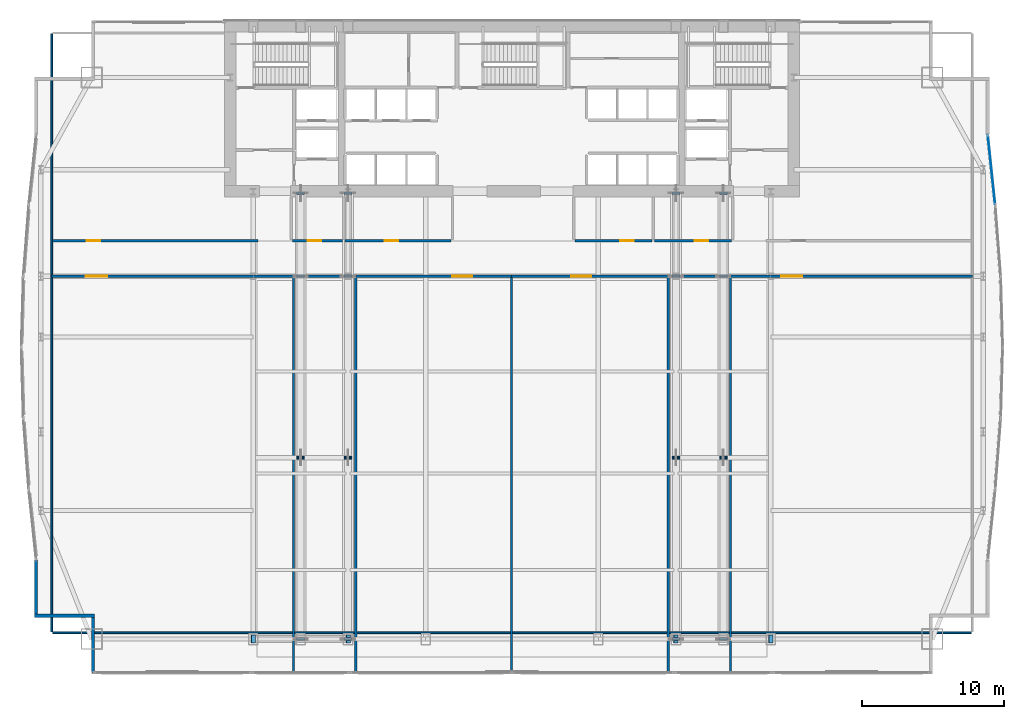
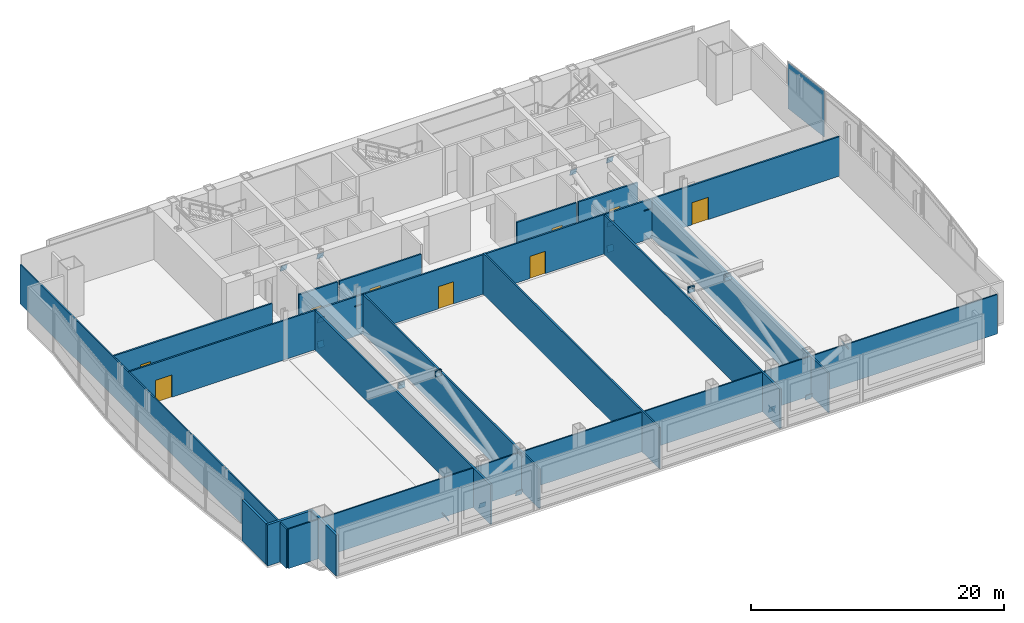
# One storey, part 26 of 32: 29 plates, 21 walls, 9 doors, 9 openings, 1 element without a shape of its own.
"""IFC4 building model written with IfcOpenShell, lengths in metres."""

from ifc_helpers import new_model, si_unit, direction, frame, frame_2d, origin, origin_2d, place, context, subcontext, project, spatial, polyline, rectangle, outline, extrude, material, layer, layer_set, type_object, element, fill, aggregate, save


model = new_model("IFC4")

# Units and contexts
model_context = context("Model", 3, precision=1e-05, world=origin(), true_north=direction((0.0, 1.0)))
body_context = subcontext(model_context, "Body", "Model", "MODEL_VIEW")
ifc_project = project(units=[si_unit("LENGTHUNIT", "METRE"), si_unit("AREAUNIT", "SQUARE_METRE"), si_unit("VOLUMEUNIT", "CUBIC_METRE"), si_unit("PLANEANGLEUNIT", "RADIAN"), si_unit("MASSUNIT", "GRAM", prefix="KILO")], contexts=[model_context])

# Site, building, storey
site_placement = place(None, origin())
site = spatial("IfcSite", under=ifc_project, at=site_placement, CompositionType="ELEMENT")
building_placement = place(site_placement, origin())
building = spatial("IfcBuilding", under=site, at=building_placement, Name="Khoronbel Lancet Exchange", CompositionType="ELEMENT")
storey_placement = place(building_placement, frame((0.0, 0.0, 85.800048828125)))
storey = spatial("IfcBuildingStorey", under=building, at=storey_placement, Name="L20", CompositionType="ELEMENT", Elevation=85.800048828125)

# Curtain wall, plate
ifc_material_1 = material(Name="Low-E Solar Control Insulating Glass", Category="glass")
curtain_wall_type = type_object("IfcCurtainWallType", Name="CW-4", PredefinedType="NOTDEFINED", material=ifc_material_1)
curtain_wall_placement = place(storey_placement, origin())
curtain_wall = element("IfcCurtainWall", 1, at=curtain_wall_placement, inside=storey, type_object=curtain_wall_type, Name="Unitised curtain wall CW-L20-E17", PredefinedType="NOTDEFINED")
ifc_material_2 = material(Name="Ceramic-Fritted Laminated Insulating Glass", Category="glass")
ifc_layer_1 = layer(ifc_material_2, 0.0419921875, Name="Ceramic-Fritted Laminated Insulating Glass")
ifc_layer_set_1 = layer_set([ifc_layer_1], Name="Ceramic-Fritted Laminated Insulating Glass")
plate_type_1 = type_object("IfcPlateType", Name="PLT-CWP2", PredefinedType="CURTAIN_PANEL", material=ifc_layer_set_1)
plate_1_placement = place(storey_placement, frame((70.22265625, 43.193603515625, 0.0849609375), z_axis=(0.0, 0.0, 1.0), x_axis=(0.104434383958, -0.994531779003, 0.0)))
plate_1 = element("IfcPlate", 2, at=plate_1_placement, type_object=plate_type_1, Name="CW4 panel 1.1", PredefinedType="CURTAIN_PANEL", context=body_context, shape_type="SweptSolid", body=[
    extrude(rectangle(XDim=4.880859375, YDim=0.0380859375, at=origin_2d()), origin(), (0.0, 0.0, 1.0), 4.449951171875),
])
aggregate(curtain_wall, [plate_1])

# Plates
ifc_material_3 = material(Name="Steel S460", Category="steel")
ifc_layer_2 = layer(ifc_material_3, 0.044921875, Name="Steel S460")
ifc_layer_set_2 = layer_set([ifc_layer_2], Name="Steel S460")
plate_type_2 = type_object("IfcPlateType", Name="PLT-ECP1", PredefinedType="USERDEFINED", material=ifc_layer_set_2)
for number, where, z_axis, x_axis, name in (
    (3, (21.8525390625, 10.24462890625, 0.025634765625), (0.0, 0.958034566662, 0.28665269767), (-1.0, 0.0, 0.0), "Hollow end cap plate PLT-CAP-MEM-L20-OBR1-1-0"),
    (4, (21.8525390625, 23.039794921875, 3.8515625), (0.0, 0.958034566662, 0.28665269767), (-1.0, 0.0, 0.0), "Hollow end cap plate PLT-CAP-MEM-L20-OBR1-1-1"),
    (5, (21.2724609375, 22.810302734375, 3.8515625), (0.0, -0.958034566662, 0.28665269767), (1.0, 0.0, 0.0), "Hollow end cap plate PLT-CAP-MEM-L20-OBR1-2-0"),
):
    element("IfcPlate", number, at=place(storey_placement, frame(where, z_axis=z_axis, x_axis=x_axis)), inside=storey, type_object=plate_type_2, Name=name, ObjectType="STIFFENER_PLATE", PredefinedType="USERDEFINED", context=body_context, shape_type="SweptSolid", body=[
        extrude(outline(polyline([(0.0, 0.0), (0.580078125, 0.0), (0.580078125, 0.580078125), (0.0, 0.580078125), (0.0, 0.0)])), origin(), (0.0, 0.0, -1.0), 0.044921875),
    ])
plate_2_placement = place(storey_placement, frame((21.2724609375, 35.60546875, 0.025634765625), z_axis=(0.0, -0.95815009957, 0.286266286339), x_axis=(1.0, 0.0, 0.0)))
element("IfcPlate", 6, at=plate_2_placement, inside=storey, type_object=plate_type_2, Name="Hollow end cap plate PLT-CAP-MEM-L20-OBR1-2-1", ObjectType="STIFFENER_PLATE", PredefinedType="USERDEFINED", context=body_context, shape_type="SweptSolid", body=[
    extrude(outline(polyline([(0.0, 0.0), (0.580078125, 0.0), (0.580078125, 0.579833984375), (0.0, 0.579833984375), (0.0, 0.0)])), origin(), (0.0, 0.0, -1.0), 0.044921875),
])
for number, where, z_axis, x_axis, name in (
    (7, (21.8525390625, 35.781005859375, 2.401123046875), (0.0, 0.971002854842, 0.239067889705), (-1.0, 0.0, 0.0), "Hollow end cap plate PLT-CAP-MEM-L20-OBR1-3-0"),
    (8, (21.8525390625, 41.6513671875, 3.84619140625), (0.0, 0.971002854842, 0.239067889705), (-1.0, 0.0, 0.0), "Hollow end cap plate PLT-CAP-MEM-L20-OBR1-3-1"),
):
    element("IfcPlate", number, at=place(storey_placement, frame(where, z_axis=z_axis, x_axis=x_axis)), inside=storey, type_object=plate_type_2, Name=name, ObjectType="STIFFENER_PLATE", PredefinedType="USERDEFINED", context=body_context, shape_type="SweptSolid", body=[
        extrude(outline(polyline([(0.0, 0.0), (0.580078125, 0.0), (0.580078125, 0.580078125), (0.0, 0.580078125), (0.0, 0.0)])), origin(), (0.0, 0.0, -1.0), 0.044921875),
    ])
for number, where, z_axis, x_axis, name in (
    (9, (25.18994140625, 10.24462890625, 0.025634765625), (0.0, 0.958034566662, 0.28665269767), (-1.0, 0.0, 0.0), "Hollow end cap plate PLT-CAP-MEM-L20-OBR2-1-0"),
    (10, (25.18994140625, 23.039794921875, 3.8515625), (0.0, 0.958034566662, 0.28665269767), (-1.0, 0.0, 0.0), "Hollow end cap plate PLT-CAP-MEM-L20-OBR2-1-1"),
    (11, (24.610107421875, 22.810302734375, 3.8515625), (0.0, -0.958034566662, 0.28665269767), (1.0, 0.0, 0.0), "Hollow end cap plate PLT-CAP-MEM-L20-OBR2-2-0"),
):
    element("IfcPlate", number, at=place(storey_placement, frame(where, z_axis=z_axis, x_axis=x_axis)), inside=storey, type_object=plate_type_2, Name=name, ObjectType="STIFFENER_PLATE", PredefinedType="USERDEFINED", context=body_context, shape_type="SweptSolid", body=[
        extrude(outline(polyline([(0.0, 0.0), (0.579833984375, 0.0), (0.579833984375, 0.580078125), (0.0, 0.580078125), (0.0, 0.0)])), origin(), (0.0, 0.0, -1.0), 0.044921875),
    ])
plate_3_placement = place(storey_placement, frame((24.610107421875, 35.60546875, 0.025634765625), z_axis=(0.0, -0.95815009957, 0.286266286339), x_axis=(1.0, 0.0, 0.0)))
element("IfcPlate", 12, at=plate_3_placement, inside=storey, type_object=plate_type_2, Name="Hollow end cap plate PLT-CAP-MEM-L20-OBR2-2-1", ObjectType="STIFFENER_PLATE", PredefinedType="USERDEFINED", context=body_context, shape_type="SweptSolid", body=[
    extrude(outline(polyline([(0.0, 0.0), (0.579833984375, 0.0), (0.579833984375, 0.579833984375), (0.0, 0.579833984375), (0.0, 0.0)])), origin(), (0.0, 0.0, -1.0), 0.044921875),
])
for number, where, z_axis, x_axis, name in (
    (13, (25.18994140625, 35.781005859375, 2.401123046875), (0.0, 0.971002854842, 0.239067889705), (-1.0, 0.0, 0.0), "Hollow end cap plate PLT-CAP-MEM-L20-OBR2-3-0"),
    (14, (25.18994140625, 41.6513671875, 3.84619140625), (0.0, 0.971002854842, 0.239067889705), (-1.0, 0.0, 0.0), "Hollow end cap plate PLT-CAP-MEM-L20-OBR2-3-1"),
):
    element("IfcPlate", number, at=place(storey_placement, frame(where, z_axis=z_axis, x_axis=x_axis)), inside=storey, type_object=plate_type_2, Name=name, ObjectType="STIFFENER_PLATE", PredefinedType="USERDEFINED", context=body_context, shape_type="SweptSolid", body=[
        extrude(outline(polyline([(0.0, 0.0), (0.579833984375, 0.0), (0.579833984375, 0.580078125), (0.0, 0.580078125), (0.0, 0.0)])), origin(), (0.0, 0.0, -1.0), 0.044921875),
    ])
for number, where, z_axis, x_axis, name in (
    (15, (48.2900390625, 10.24462890625, 0.025634765625), (0.0, 0.958034566662, 0.28665269767), (-1.0, 0.0, 0.0), "Hollow end cap plate PLT-CAP-MEM-L20-OBR3-1-0"),
    (16, (48.2900390625, 23.039794921875, 3.8515625), (0.0, 0.958034566662, 0.28665269767), (-1.0, 0.0, 0.0), "Hollow end cap plate PLT-CAP-MEM-L20-OBR3-1-1"),
    (17, (47.7099609375, 22.810302734375, 3.8515625), (0.0, -0.958034566662, 0.28665269767), (1.0, 0.0, 0.0), "Hollow end cap plate PLT-CAP-MEM-L20-OBR3-2-0"),
):
    element("IfcPlate", number, at=place(storey_placement, frame(where, z_axis=z_axis, x_axis=x_axis)), inside=storey, type_object=plate_type_2, Name=name, ObjectType="STIFFENER_PLATE", PredefinedType="USERDEFINED", context=body_context, shape_type="SweptSolid", body=[
        extrude(outline(polyline([(0.0, 0.0), (0.580078125, 0.0), (0.580078125, 0.580078125), (0.0, 0.580078125), (0.0, 0.0)])), origin(), (0.0, 0.0, -1.0), 0.044921875),
    ])
plate_4_placement = place(storey_placement, frame((47.7099609375, 35.60546875, 0.025634765625), z_axis=(0.0, -0.95815009957, 0.286266286339), x_axis=(1.0, 0.0, 0.0)))
element("IfcPlate", 18, at=plate_4_placement, inside=storey, type_object=plate_type_2, Name="Hollow end cap plate PLT-CAP-MEM-L20-OBR3-2-1", ObjectType="STIFFENER_PLATE", PredefinedType="USERDEFINED", context=body_context, shape_type="SweptSolid", body=[
    extrude(outline(polyline([(0.0, 0.0), (0.580078125, 0.0), (0.580078125, 0.579833984375), (0.0, 0.579833984375), (0.0, 0.0)])), origin(), (0.0, 0.0, -1.0), 0.044921875),
])
for number, where, z_axis, x_axis, name in (
    (19, (48.2900390625, 35.781005859375, 2.401123046875), (0.0, 0.971002854842, 0.239067889705), (-1.0, 0.0, 0.0), "Hollow end cap plate PLT-CAP-MEM-L20-OBR3-3-0"),
    (20, (48.2900390625, 41.6513671875, 3.84619140625), (0.0, 0.971002854842, 0.239067889705), (-1.0, 0.0, 0.0), "Hollow end cap plate PLT-CAP-MEM-L20-OBR3-3-1"),
):
    element("IfcPlate", number, at=place(storey_placement, frame(where, z_axis=z_axis, x_axis=x_axis)), inside=storey, type_object=plate_type_2, Name=name, ObjectType="STIFFENER_PLATE", PredefinedType="USERDEFINED", context=body_context, shape_type="SweptSolid", body=[
        extrude(outline(polyline([(0.0, 0.0), (0.580078125, 0.0), (0.580078125, 0.580078125), (0.0, 0.580078125), (0.0, 0.0)])), origin(), (0.0, 0.0, -1.0), 0.044921875),
    ])
for number, where, z_axis, x_axis, name in (
    (21, (51.62744140625, 10.24462890625, 0.025634765625), (0.0, 0.958034566662, 0.28665269767), (-1.0, 0.0, 0.0), "Hollow end cap plate PLT-CAP-MEM-L20-OBR4-1-0"),
    (22, (51.62744140625, 23.039794921875, 3.8515625), (0.0, 0.958034566662, 0.28665269767), (-1.0, 0.0, 0.0), "Hollow end cap plate PLT-CAP-MEM-L20-OBR4-1-1"),
    (23, (51.047607421875, 22.810302734375, 3.8515625), (0.0, -0.958034566662, 0.28665269767), (1.0, 0.0, 0.0), "Hollow end cap plate PLT-CAP-MEM-L20-OBR4-2-0"),
):
    element("IfcPlate", number, at=place(storey_placement, frame(where, z_axis=z_axis, x_axis=x_axis)), inside=storey, type_object=plate_type_2, Name=name, ObjectType="STIFFENER_PLATE", PredefinedType="USERDEFINED", context=body_context, shape_type="SweptSolid", body=[
        extrude(outline(polyline([(0.0, 0.0), (0.579833984375, 0.0), (0.579833984375, 0.580078125), (0.0, 0.580078125), (0.0, 0.0)])), origin(), (0.0, 0.0, -1.0), 0.044921875),
    ])
plate_5_placement = place(storey_placement, frame((51.047607421875, 35.60546875, 0.025634765625), z_axis=(0.0, -0.95815009957, 0.286266286339), x_axis=(1.0, 0.0, 0.0)))
element("IfcPlate", 24, at=plate_5_placement, inside=storey, type_object=plate_type_2, Name="Hollow end cap plate PLT-CAP-MEM-L20-OBR4-2-1", ObjectType="STIFFENER_PLATE", PredefinedType="USERDEFINED", context=body_context, shape_type="SweptSolid", body=[
    extrude(outline(polyline([(0.0, 0.0), (0.579833984375, 0.0), (0.579833984375, 0.579833984375), (0.0, 0.579833984375), (0.0, 0.0)])), origin(), (0.0, 0.0, -1.0), 0.044921875),
])
for number, where, z_axis, x_axis, name in (
    (25, (51.62744140625, 35.781005859375, 2.401123046875), (0.0, 0.971002854842, 0.239067889705), (-1.0, 0.0, 0.0), "Hollow end cap plate PLT-CAP-MEM-L20-OBR4-3-0"),
    (26, (51.62744140625, 41.6513671875, 3.84619140625), (0.0, 0.971002854842, 0.239067889705), (-1.0, 0.0, 0.0), "Hollow end cap plate PLT-CAP-MEM-L20-OBR4-3-1"),
    (27, (18.37939453125, 9.860107421875, 0.05419921875), (0.867932140254, 0.0, 0.496682796072), (0.0, 1.0, 0.0), "Hollow end cap plate PLT-CAP-MEM-L20-BELT-1-0"),
    (28, (25.07275390625, 9.860107421875, 3.884521484375), (0.867932140254, 0.0, 0.496682796072), (0.0, 1.0, 0.0), "Hollow end cap plate PLT-CAP-MEM-L20-BELT-1-1"),
    (29, (48.154541015625, 9.860107421875, 0.05419921875), (0.867932140254, 0.0, 0.496682796072), (0.0, 1.0, 0.0), "Hollow end cap plate PLT-CAP-MEM-L20-BELT-2-0"),
    (30, (54.84765625, 9.860107421875, 3.884521484375), (0.867932140254, 0.0, 0.496682796072), (0.0, 1.0, 0.0), "Hollow end cap plate PLT-CAP-MEM-L20-BELT-2-1"),
):
    element("IfcPlate", number, at=place(storey_placement, frame(where, z_axis=z_axis, x_axis=x_axis)), inside=storey, type_object=plate_type_2, Name=name, ObjectType="STIFFENER_PLATE", PredefinedType="USERDEFINED", context=body_context, shape_type="SweptSolid", body=[
        extrude(outline(polyline([(0.0, 0.0), (0.579833984375, 0.0), (0.579833984375, 0.580078125), (0.0, 0.580078125), (0.0, 0.0)])), origin(), (0.0, 0.0, -1.0), 0.044921875),
    ])

# Walls
ifc_material_4 = material(Name="Precast concrete C40/50", Category="concrete")
ifc_layer_3 = layer(ifc_material_4, 0.25, Name="Precast concrete C40/50")
ifc_layer_set_3 = layer_set([ifc_layer_3], Name="Precast concrete C40/50")
wall_type_1 = type_object("IfcWallType", Name="WL-EXT250", PredefinedType="SOLIDWALL", material=ifc_layer_set_3)
wall_1_placement = place(storey_placement, frame((6.93994140625, 7.77001953125, 0.0), z_axis=(0.0, 0.0, 1.0), x_axis=(0.0, 1.0, 0.0)))
element("IfcWall", 31, at=wall_1_placement, inside=storey, type_object=wall_type_1, Name="Level L20 notched-corner limestone pier 01", PredefinedType="SOLIDWALL", context=body_context, shape_type="SweptSolid", body=[
    extrude(rectangle(XDim=3.909912109375, YDim=0.219970703125, at=frame_2d((1.955078125, 0.0))), origin(), (0.0, 0.0, 1.0), 3.9599609375),
])
wall_2_placement = place(storey_placement, frame((7.050048828125, 11.7900390625, 0.0), z_axis=(0.0, 0.0, 1.0), x_axis=(-1.0, 0.0, 0.0)))
element("IfcWall", 32, at=wall_2_placement, inside=storey, type_object=wall_type_1, Name="Level L20 notched-corner limestone pier 02", PredefinedType="SOLIDWALL", context=body_context, shape_type="SweptSolid", body=[
    extrude(rectangle(XDim=4.219970703125, YDim=0.219970703125, at=frame_2d((2.10986328125, 0.0))), origin(), (0.0, 0.0, 1.0), 3.9599609375),
])
wall_3_placement = place(storey_placement, frame((2.93994140625, 11.89990234375, 0.0), z_axis=(0.0, 0.0, 1.0), x_axis=(0.0, 1.0, 0.0)))
element("IfcWall", 33, at=wall_3_placement, inside=storey, type_object=wall_type_1, Name="Level L20 notched-corner limestone pier 03", PredefinedType="SOLIDWALL", context=body_context, shape_type="SweptSolid", body=[
    extrude(rectangle(XDim=3.82470703125, YDim=0.219970703125, at=frame_2d((1.912353515625, 0.0))), origin(), (0.0, 0.0, 1.0), 3.9599609375),
])
ifc_material_5 = material(Name="Acoustic Metal-Stud & Mineral-Wool Gypsum Partition 120 mm", Category="gypsum")
ifc_layer_4 = layer(ifc_material_5, 0.1201171875, Name="Acoustic Metal-Stud & Mineral-Wool Gypsum Partition 120 mm")
ifc_layer_set_4 = layer_set([ifc_layer_4], Name="Acoustic Metal-Stud & Mineral-Wool Gypsum Partition 120 mm")
wall_type_2 = type_object("IfcWallType", Name="WL-PRT120", PredefinedType="PARTITIONING", material=ifc_layer_set_4)
wall_4_placement = place(storey_placement, frame((4.030029296875, 10.6650390625, 0.0), z_axis=(0.0, 0.0, 1.0), x_axis=(0.0, 1.0, 0.0)))
element("IfcWall", 34, at=wall_4_placement, inside=storey, type_object=wall_type_2, Name="Level L20 interior partition PW-LIN-W", PredefinedType="PARTITIONING", context=body_context, shape_type="SweptSolid", body=[
    extrude(rectangle(XDim=42.10986328125, YDim=0.1201171875, at=frame_2d((21.054931640625, 0.0))), origin(), (0.0, 0.0, 1.0), 3.81005859375),
])
wall_5_placement = place(storey_placement, frame((4.094970703125, 10.60009765625, 0.0), z_axis=(0.0, 0.0, 1.0), x_axis=(1.0, 0.0, 0.0)))
element("IfcWall", 35, at=wall_5_placement, inside=storey, type_object=wall_type_2, Name="Level L20 interior partition PW-LIN-S", PredefinedType="PARTITIONING", context=body_context, shape_type="SweptSolid", body=[
    extrude(rectangle(XDim=64.7099609375, YDim=0.1201171875, at=frame_2d((32.35498046875, 0.0))), origin(), (0.0, 0.0, 1.0), 3.81005859375),
])

# Wall, opening, door
ifc_material_6 = material(Name="Fire-Rated Twin-Stud Acoustic Gypsum Partition 150 mm", Category="gypsum")
ifc_layer_5 = layer(ifc_material_6, 0.14990234375, Name="Fire-Rated Twin-Stud Acoustic Gypsum Partition 150 mm")
ifc_layer_set_5 = layer_set([ifc_layer_5], Name="Fire-Rated Twin-Stud Acoustic Gypsum Partition 150 mm")
wall_type_3 = type_object("IfcWallType", Name="WL-PRT150C", PredefinedType="PARTITIONING", material=ifc_layer_set_5)
wall_6_placement = place(storey_placement, frame((4.030029296875, 35.699951171875, 0.0), z_axis=(0.0, 0.0, 1.0), x_axis=(1.0, 0.0, 0.0)))
wall_6 = element("IfcWall", 36, at=wall_6_placement, inside=storey, type_object=wall_type_3, Name="Level L20 interior partition PW-RF-S1", PredefinedType="PARTITIONING", context=body_context, shape_type="SweptSolid", body=[
    extrude(rectangle(XDim=17.02001953125, YDim=0.14990234375, at=frame_2d((8.510009765625, 0.0))), origin(), (0.0, 0.0, 1.0), 3.81005859375),
])
opening_1_placement = place(wall_6_placement, frame((2.39990234375, 0.0, 0.0)))
opening_1 = element("IfcOpeningElement", 37, at=opening_1_placement, cuts=wall_6, Name="Opening FD2", PredefinedType="OPENING", context=body_context, shape_type="SweptSolid", body=[
    extrude(rectangle(XDim=1.5, YDim=2.14990234375, at=frame_2d((0.75, 1.074951171875))), frame((0.0, 0.0849609375, 0.0), z_axis=(0.0, -1.0, 0.0), x_axis=(1.0, 0.0, 0.0)), (0.0, 0.0, 1.0), 0.169921875),
])
ifc_material_7 = material(Name="Fire-Rated Painted Steel Door Assembly", Category="steel")
door_type_1 = type_object("IfcDoorType", Name="DR-FD2", OperationType="NOTDEFINED", PredefinedType="DOOR", material=ifc_material_7)
door_1_placement = place(opening_1_placement, origin())
door_1 = element("IfcDoor", 38, at=door_1_placement, inside=storey, type_object=door_type_1, Name="West refuge area fire door L20-1", OperationType="DOUBLE_DOOR_SINGLE_SWING", OverallHeight=2.14990234375, OverallWidth=1.5, PredefinedType="DOOR", context=body_context, shape_type="SweptSolid", body=[
    extrude(rectangle(XDim=1.5, YDim=2.14990234375, at=frame_2d((0.75, 1.074951171875))), frame((0.0, 0.02490234375, 0.0), z_axis=(0.0, -1.0, 0.0), x_axis=(1.0, 0.0, 0.0)), (0.0, 0.0, 1.0), 0.050048828125),
])
fill(opening_1, door_1)

# Wall
wall_7_placement = place(storey_placement, frame((21.050048828125, 35.699951171875, 0.0), z_axis=(0.0, 0.0, 1.0), x_axis=(1.0, 0.0, 0.0)))
element("IfcWall", 39, at=wall_7_placement, inside=storey, type_object=wall_type_3, Name="Level L20 interior partition PW-RF-S2", PredefinedType="PARTITIONING", context=body_context, shape_type="SweptSolid", body=[
    extrude(rectangle(XDim=4.39990234375, YDim=0.14990234375, at=frame_2d((2.199951171875, 0.0))), origin(), (0.0, 0.0, 1.0), 3.81005859375),
])

# Wall, opening, door
wall_8_placement = place(storey_placement, frame((25.449951171875, 35.699951171875, 0.0), z_axis=(0.0, 0.0, 1.0), x_axis=(1.0, 0.0, 0.0)))
wall_8 = element("IfcWall", 40, at=wall_8_placement, inside=storey, type_object=wall_type_3, Name="Level L20 interior partition PW-RF-S3", PredefinedType="PARTITIONING", context=body_context, shape_type="SweptSolid", body=[
    extrude(rectangle(XDim=10.969970703125, YDim=0.14990234375, at=frame_2d((5.48486328125, 0.0))), origin(), (0.0, 0.0, 1.0), 3.81005859375),
])
opening_2_placement = place(wall_8_placement, frame((6.800048828125, 0.0, 0.0)))
opening_2 = element("IfcOpeningElement", 41, at=opening_2_placement, cuts=wall_8, Name="Opening D7", PredefinedType="OPENING", context=body_context, shape_type="SweptSolid", body=[
    extrude(rectangle(XDim=1.39990234375, YDim=2.14990234375, at=frame_2d((0.699951171875, 1.074951171875))), frame((0.0, 0.0849609375, 0.0), z_axis=(0.0, -1.0, 0.0), x_axis=(1.0, 0.0, 0.0)), (0.0, 0.0, 1.0), 0.169921875),
])
ifc_material_8 = material(Name="Fire-Rated Heavy Plant Double Door Assembly", Category="steel")
door_type_2 = type_object("IfcDoorType", Name="DR-D7", OperationType="NOTDEFINED", PredefinedType="DOOR", material=ifc_material_8)
door_2_placement = place(opening_2_placement, origin())
door_2 = element("IfcDoor", 42, at=door_2_placement, inside=storey, type_object=door_type_2, Name="Central AHU plant double door L20-1", OperationType="DOUBLE_DOOR_SINGLE_SWING", OverallHeight=2.14990234375, OverallWidth=1.39990234375, PredefinedType="DOOR", context=body_context, shape_type="SweptSolid", body=[
    extrude(rectangle(XDim=1.39990234375, YDim=2.14990234375, at=frame_2d((0.699951171875, 1.074951171875))), frame((0.0, 0.02490234375, 0.0), z_axis=(0.0, -1.0, 0.0), x_axis=(1.0, 0.0, 0.0)), (0.0, 0.0, 1.0), 0.050048828125),
])
fill(opening_2, door_2)

wall_9_placement = place(storey_placement, frame((36.419921875, 35.699951171875, 0.0), z_axis=(0.0, 0.0, 1.0), x_axis=(1.0, 0.0, 0.0)))
wall_9 = element("IfcWall", 43, at=wall_9_placement, inside=storey, type_object=wall_type_3, Name="Level L20 interior partition PW-RF-S4", PredefinedType="PARTITIONING", context=body_context, shape_type="SweptSolid", body=[
    extrude(rectangle(XDim=11.030029296875, YDim=0.14990234375, at=frame_2d((5.51513671875, 0.0))), origin(), (0.0, 0.0, 1.0), 3.81005859375),
])
opening_3_placement = place(wall_9_placement, frame((4.199951171875, 0.0, 0.0)))
opening_3 = element("IfcOpeningElement", 44, at=opening_3_placement, cuts=wall_9, Name="Opening D7", PredefinedType="OPENING", context=body_context, shape_type="SweptSolid", body=[
    extrude(rectangle(XDim=1.39990234375, YDim=2.14990234375, at=frame_2d((0.699951171875, 1.074951171875))), frame((0.0, 0.0849609375, 0.0), z_axis=(0.0, -1.0, 0.0), x_axis=(1.0, 0.0, 0.0)), (0.0, 0.0, 1.0), 0.169921875),
])
door_3_placement = place(opening_3_placement, origin())
door_3 = element("IfcDoor", 45, at=door_3_placement, inside=storey, type_object=door_type_2, Name="Chilled-water booster plant double door L20-1", OperationType="DOUBLE_DOOR_SINGLE_SWING", OverallHeight=2.14990234375, OverallWidth=1.39990234375, PredefinedType="DOOR", context=body_context, shape_type="SweptSolid", body=[
    extrude(rectangle(XDim=1.39990234375, YDim=2.14990234375, at=frame_2d((0.699951171875, 1.074951171875))), frame((0.0, 0.02490234375, 0.0), z_axis=(0.0, -1.0, 0.0), x_axis=(1.0, 0.0, 0.0)), (0.0, 0.0, 1.0), 0.050048828125),
])
fill(opening_3, door_3)

# Wall
wall_10_placement = place(storey_placement, frame((47.449951171875, 35.699951171875, 0.0), z_axis=(0.0, 0.0, 1.0), x_axis=(1.0, 0.0, 0.0)))
element("IfcWall", 46, at=wall_10_placement, inside=storey, type_object=wall_type_3, Name="Level L20 interior partition PW-RF-S5", PredefinedType="PARTITIONING", context=body_context, shape_type="SweptSolid", body=[
    extrude(rectangle(XDim=4.400146484375, YDim=0.14990234375, at=frame_2d((2.2001953125, 0.0))), origin(), (0.0, 0.0, 1.0), 3.81005859375),
])

# Wall, opening, door
wall_11_placement = place(storey_placement, frame((51.85009765625, 35.699951171875, 0.0), z_axis=(0.0, 0.0, 1.0), x_axis=(1.0, 0.0, 0.0)))
wall_11 = element("IfcWall", 47, at=wall_11_placement, inside=storey, type_object=wall_type_3, Name="Level L20 interior partition PW-RF-S6", PredefinedType="PARTITIONING", context=body_context, shape_type="SweptSolid", body=[
    extrude(rectangle(XDim=17.02001953125, YDim=0.14990234375, at=frame_2d((8.510009765625, 0.0))), origin(), (0.0, 0.0, 1.0), 3.81005859375),
])
opening_4_placement = place(wall_11_placement, frame((3.550048828125, 0.0, 0.0)))
opening_4 = element("IfcOpeningElement", 48, at=opening_4_placement, cuts=wall_11, Name="Opening FD2", PredefinedType="OPENING", context=body_context, shape_type="SweptSolid", body=[
    extrude(rectangle(XDim=1.5, YDim=2.14990234375, at=frame_2d((0.75, 1.074951171875))), frame((0.0, 0.0849609375, 0.0), z_axis=(0.0, -1.0, 0.0), x_axis=(1.0, 0.0, 0.0)), (0.0, 0.0, 1.0), 0.169921875),
])
door_4_placement = place(opening_4_placement, origin())
door_4 = element("IfcDoor", 49, at=door_4_placement, inside=storey, type_object=door_type_1, Name="East refuge area fire door L20-1", OperationType="DOUBLE_DOOR_SINGLE_SWING", OverallHeight=2.14990234375, OverallWidth=1.5, PredefinedType="DOOR", context=body_context, shape_type="SweptSolid", body=[
    extrude(rectangle(XDim=1.5, YDim=2.14990234375, at=frame_2d((0.75, 1.074951171875))), frame((0.0, 0.02490234375, 0.0), z_axis=(0.0, -1.0, 0.0), x_axis=(1.0, 0.0, 0.0)), (0.0, 0.0, 1.0), 0.050048828125),
])
fill(opening_4, door_4)

# Walls
wall_12_placement = place(storey_placement, frame((36.419921875, 7.820068359375, 0.0), z_axis=(0.0, 0.0, 1.0), x_axis=(0.0, 1.0, 0.0)))
element("IfcWall", 50, at=wall_12_placement, inside=storey, type_object=wall_type_3, Name="Level L20 interior partition PW-RF-MID", PredefinedType="PARTITIONING", context=body_context, shape_type="SweptSolid", body=[
    extrude(rectangle(XDim=27.800048828125, YDim=0.14990234375, at=frame_2d((13.89990234375, 0.0))), origin(), (0.0, 0.0, 1.0), 3.9599609375),
])
for number, where, z_axis, x_axis, name in (
    (51, (21.050048828125, 7.820068359375, 0.0), (0.0, 0.0, 1.0), (0.0, 1.0, 0.0), "Level L20 interior partition PW-RF-OW-W1"),
    (52, (25.449951171875, 7.820068359375, 0.0), (0.0, 0.0, 1.0), (0.0, 1.0, 0.0), "Level L20 interior partition PW-RF-OW-W2"),
    (53, (47.449951171875, 7.820068359375, 0.0), (0.0, 0.0, 1.0), (0.0, 1.0, 0.0), "Level L20 interior partition PW-RF-OW-E1"),
    (54, (51.85009765625, 7.820068359375, 0.0), (0.0, 0.0, 1.0), (0.0, 1.0, 0.0), "Level L20 interior partition PW-RF-OW-E2"),
):
    element("IfcWall", number, at=place(storey_placement, frame(where, z_axis=z_axis, x_axis=x_axis)), inside=storey, type_object=wall_type_3, Name=name, PredefinedType="PARTITIONING", context=body_context, shape_type="SweptSolid", body=[
        extrude(rectangle(XDim=27.800048828125, YDim=0.14990234375, at=frame_2d((13.89990234375, 0.0))), origin(), (0.0, 0.0, 1.0), 3.81005859375),
    ])

# Wall, opening, door
wall_13_placement = place(storey_placement, frame((20.97998046875, 38.199951171875, 0.0), z_axis=(0.0, 0.0, 1.0), x_axis=(1.0, 0.0, 0.0)))
wall_13 = element("IfcWall", 55, at=wall_13_placement, inside=storey, type_object=wall_type_3, Name="Level L20 interior partition PW-RF-N1", PredefinedType="PARTITIONING", context=body_context, shape_type="SweptSolid", body=[
    extrude(rectangle(XDim=3.5400390625, YDim=0.14990234375, at=frame_2d((1.77001953125, 0.0))), origin(), (0.0, 0.0, 1.0), 3.81005859375),
])
opening_5_placement = place(wall_13_placement, frame((1.10009765625, 0.0, 0.0)))
opening_5 = element("IfcOpeningElement", 56, at=opening_5_placement, cuts=wall_13, Name="Opening D4", PredefinedType="OPENING", context=body_context, shape_type="SweptSolid", body=[
    extrude(rectangle(XDim=0.949951171875, YDim=2.050048828125, at=frame_2d((0.47509765625, 1.02490234375))), frame((0.0, 0.0849609375, 0.0), z_axis=(0.0, -1.0, 0.0), x_axis=(1.0, 0.0, 0.0)), (0.0, 0.0, 1.0), 0.169921875),
])
ifc_material_9 = material(Name="Moisture-Resistant HPL Washroom Door", Category="wood")
door_type_3 = type_object("IfcDoorType", Name="DR-D4", OperationType="NOTDEFINED", PredefinedType="DOOR", material=ifc_material_9)
door_5_placement = place(opening_5_placement, origin())
door_5 = element("IfcDoor", 57, at=door_5_placement, inside=storey, type_object=door_type_3, Name="Refuge accessible WC door L20-1", OperationType="SINGLE_SWING_RIGHT", OverallHeight=2.050048828125, OverallWidth=0.949951171875, PredefinedType="DOOR", context=body_context, shape_type="SweptSolid", body=[
    extrude(rectangle(XDim=0.949951171875, YDim=2.050048828125, at=frame_2d((0.47509765625, 1.02490234375))), frame((0.0, 0.02490234375, 0.0), z_axis=(0.0, -1.0, 0.0), x_axis=(1.0, 0.0, 0.0)), (0.0, 0.0, 1.0), 0.050048828125),
])
fill(opening_5, door_5)

wall_14_placement = place(storey_placement, frame((24.679931640625, 38.199951171875, 0.0), z_axis=(0.0, 0.0, 1.0), x_axis=(1.0, 0.0, 0.0)))
wall_14 = element("IfcWall", 58, at=wall_14_placement, inside=storey, type_object=wall_type_3, Name="Level L20 interior partition PW-RF-N2", PredefinedType="PARTITIONING", context=body_context, shape_type="SweptSolid", body=[
    extrude(rectangle(XDim=7.489990234375, YDim=0.14990234375, at=frame_2d((3.7451171875, 0.0))), origin(), (0.0, 0.0, 1.0), 3.81005859375),
])
opening_6_placement = place(wall_14_placement, frame((2.800048828125, 0.0, 0.0)))
opening_6 = element("IfcOpeningElement", 59, at=opening_6_placement, cuts=wall_14, Name="Opening FD3", PredefinedType="OPENING", context=body_context, shape_type="SweptSolid", body=[
    extrude(rectangle(XDim=0.949951171875, YDim=2.10009765625, at=frame_2d((0.47509765625, 1.050048828125))), frame((0.0, 0.0849609375, 0.0), z_axis=(0.0, -1.0, 0.0), x_axis=(1.0, 0.0, 0.0)), (0.0, 0.0, 1.0), 0.169921875),
])
ifc_material_10 = material(Name="Fire-Rated Steel Plant & Riser Door Assembly", Category="steel")
door_type_4 = type_object("IfcDoorType", Name="DR-FD3", OperationType="NOTDEFINED", PredefinedType="DOOR", material=ifc_material_10)
door_6_placement = place(opening_6_placement, origin())
door_6 = element("IfcDoor", 60, at=door_6_placement, inside=storey, type_object=door_type_4, Name="Fire pump plant room door L20-1", OperationType="SINGLE_SWING_LEFT", OverallHeight=2.10009765625, OverallWidth=0.949951171875, PredefinedType="DOOR", context=body_context, shape_type="SweptSolid", body=[
    extrude(rectangle(XDim=0.949951171875, YDim=2.10009765625, at=frame_2d((0.47509765625, 1.050048828125))), frame((0.0, 0.02490234375, 0.0), z_axis=(0.0, -1.0, 0.0), x_axis=(1.0, 0.0, 0.0)), (0.0, 0.0, 1.0), 0.050048828125),
])
fill(opening_6, door_6)

wall_15_placement = place(storey_placement, frame((40.8798828125, 38.199951171875, 0.0), z_axis=(0.0, 0.0, 1.0), x_axis=(1.0, 0.0, 0.0)))
wall_15 = element("IfcWall", 61, at=wall_15_placement, inside=storey, type_object=wall_type_3, Name="Level L20 interior partition PW-RF-NE1", PredefinedType="PARTITIONING", context=body_context, shape_type="SweptSolid", body=[
    extrude(rectangle(XDim=5.440185546875, YDim=0.14990234375, at=frame_2d((2.72021484375, 0.0))), origin(), (0.0, 0.0, 1.0), 3.81005859375),
])
opening_7_placement = place(wall_15_placement, frame((3.199951171875, 0.0, 0.0)))
opening_7 = element("IfcOpeningElement", 62, at=opening_7_placement, cuts=wall_15, Name="Opening FD3", PredefinedType="OPENING", context=body_context, shape_type="SweptSolid", body=[
    extrude(rectangle(XDim=0.949951171875, YDim=2.10009765625, at=frame_2d((0.47509765625, 1.050048828125))), frame((0.0, 0.0849609375, 0.0), z_axis=(0.0, -1.0, 0.0), x_axis=(1.0, 0.0, 0.0)), (0.0, 0.0, 1.0), 0.169921875),
])
door_7_placement = place(opening_7_placement, origin())
door_7 = element("IfcDoor", 63, at=door_7_placement, inside=storey, type_object=door_type_4, Name="Transformer plant room door L20-1", OperationType="SINGLE_SWING_RIGHT", OverallHeight=2.10009765625, OverallWidth=0.949951171875, PredefinedType="DOOR", context=body_context, shape_type="SweptSolid", body=[
    extrude(rectangle(XDim=0.949951171875, YDim=2.10009765625, at=frame_2d((0.47509765625, 1.050048828125))), frame((0.0, 0.02490234375, 0.0), z_axis=(0.0, -1.0, 0.0), x_axis=(1.0, 0.0, 0.0)), (0.0, 0.0, 1.0), 0.050048828125),
])
fill(opening_7, door_7)

wall_16_placement = place(storey_placement, frame((46.47998046875, 38.199951171875, 0.0), z_axis=(0.0, 0.0, 1.0), x_axis=(1.0, 0.0, 0.0)))
wall_16 = element("IfcWall", 64, at=wall_16_placement, inside=storey, type_object=wall_type_3, Name="Level L20 interior partition PW-RF-NE2", PredefinedType="PARTITIONING", context=body_context, shape_type="SweptSolid", body=[
    extrude(rectangle(XDim=5.43994140625, YDim=0.14990234375, at=frame_2d((2.719970703125, 0.0))), origin(), (0.0, 0.0, 1.0), 3.81005859375),
])
opening_8_placement = place(wall_16_placement, frame((2.85009765625, 0.0, 0.0)))
opening_8 = element("IfcOpeningElement", 65, at=opening_8_placement, cuts=wall_16, Name="Opening FD3", PredefinedType="OPENING", context=body_context, shape_type="SweptSolid", body=[
    extrude(rectangle(XDim=0.949951171875, YDim=2.10009765625, at=frame_2d((0.47509765625, 1.050048828125))), frame((0.0, 0.0849609375, 0.0), z_axis=(0.0, -1.0, 0.0), x_axis=(1.0, 0.0, 0.0)), (0.0, 0.0, 1.0), 0.169921875),
])
door_8_placement = place(opening_8_placement, origin())
door_8 = element("IfcDoor", 66, at=door_8_placement, inside=storey, type_object=door_type_4, Name="BMS mechanical plant room door L20-1", OperationType="SINGLE_SWING_LEFT", OverallHeight=2.10009765625, OverallWidth=0.949951171875, PredefinedType="DOOR", context=body_context, shape_type="SweptSolid", body=[
    extrude(rectangle(XDim=0.949951171875, YDim=2.10009765625, at=frame_2d((0.47509765625, 1.050048828125))), frame((0.0, 0.02490234375, 0.0), z_axis=(0.0, -1.0, 0.0), x_axis=(1.0, 0.0, 0.0)), (0.0, 0.0, 1.0), 0.050048828125),
])
fill(opening_8, door_8)

wall_17_placement = place(storey_placement, frame((4.094970703125, 38.199951171875, 0.0), z_axis=(0.0, 0.0, 1.0), x_axis=(1.0, 0.0, 0.0)))
wall_17 = element("IfcWall", 67, at=wall_17_placement, inside=storey, type_object=wall_type_3, Name="Level L20 interior partition PW-RF-NWS", PredefinedType="PARTITIONING", context=body_context, shape_type="SweptSolid", body=[
    extrude(rectangle(XDim=14.455078125, YDim=0.14990234375, at=frame_2d((7.2275390625, 0.0))), origin(), (0.0, 0.0, 1.0), 3.81005859375),
])
opening_9_placement = place(wall_17_placement, frame((2.39990234375, 0.0, 0.0)))
opening_9 = element("IfcOpeningElement", 68, at=opening_9_placement, cuts=wall_17, Name="Opening FD3", PredefinedType="OPENING", context=body_context, shape_type="SweptSolid", body=[
    extrude(rectangle(XDim=0.949951171875, YDim=2.10009765625, at=frame_2d((0.47509765625, 1.050048828125))), frame((0.0, 0.0849609375, 0.0), z_axis=(0.0, -1.0, 0.0), x_axis=(1.0, 0.0, 0.0)), (0.0, 0.0, 1.0), 0.169921875),
])
door_9_placement = place(opening_9_placement, origin())
door_9 = element("IfcDoor", 69, at=door_9_placement, inside=storey, type_object=door_type_4, Name="NW smoke fan plant door L20-1", OperationType="SINGLE_SWING_RIGHT", OverallHeight=2.10009765625, OverallWidth=0.949951171875, PredefinedType="DOOR", context=body_context, shape_type="SweptSolid", body=[
    extrude(rectangle(XDim=0.949951171875, YDim=2.10009765625, at=frame_2d((0.47509765625, 1.050048828125))), frame((0.0, 0.02490234375, 0.0), z_axis=(0.0, -1.0, 0.0), x_axis=(1.0, 0.0, 0.0)), (0.0, 0.0, 1.0), 0.050048828125),
])
fill(opening_9, door_9)

save(model, "model.ifc")
